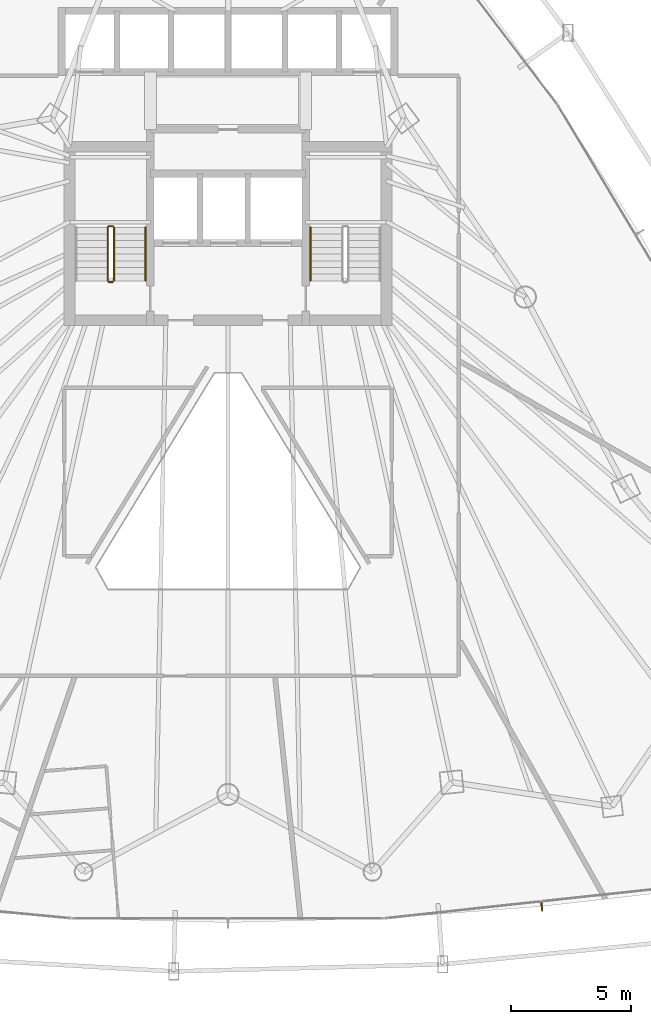
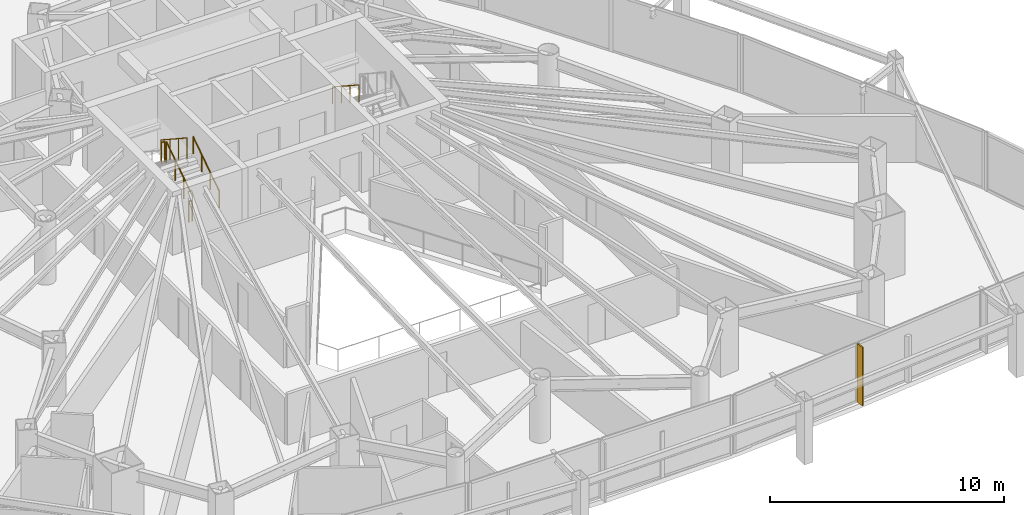
# One storey, part 35 of 37: 6 railings, 1 shading device.
"""IFC4 building model written with IfcOpenShell, lengths in metres."""

from ifc_helpers import new_model, si_unit, direction, frame, origin, origin_2d, place, context, subcontext, project, spatial, rectangle, circle, extrude, material, layer, layer_set, type_object, element, save


model = new_model("IFC4")

# Units and contexts
model_context = context("Model", 3, precision=1e-05, world=origin(), true_north=direction((0.0, 1.0)))
body_context = subcontext(model_context, "Body", "Model", "MODEL_VIEW")
ifc_project = project(units=[si_unit("LENGTHUNIT", "METRE"), si_unit("AREAUNIT", "SQUARE_METRE"), si_unit("VOLUMEUNIT", "CUBIC_METRE"), si_unit("PLANEANGLEUNIT", "RADIAN"), si_unit("MASSUNIT", "GRAM", prefix="KILO")], contexts=[model_context])

# Site, building, storey
site_placement = place(None, origin())
site = spatial("IfcSite", under=ifc_project, at=site_placement, CompositionType="ELEMENT")
building_placement = place(site_placement, origin())
building = spatial("IfcBuilding", under=site, at=building_placement, Name="Orvanel Arch Residences", CompositionType="ELEMENT")
storey_placement = place(building_placement, frame((0.0, 0.0, 53.300048828125)))
storey = spatial("IfcBuildingStorey", under=building, at=storey_placement, Name="L14", CompositionType="ELEMENT", Elevation=53.300048828125)

# Shading device
ifc_material_1 = material(Name="Bronze-anodised aluminium AA6063-T6", Category="aluminium")
ifc_layer = layer(ifc_material_1, 0.06005859375)
ifc_layer_set = layer_set([ifc_layer], Name="Bronze-anodised aluminium AA6063-T6")
shading_device_type = type_object("IfcShadingDeviceType", Name="FIN-BRZ-380", PredefinedType="USERDEFINED", material=ifc_layer_set)
shading_device_placement = place(storey_placement, frame((46.1201171875, 2.152099609375, 0.0), z_axis=(0.0, 0.0, 1.0), x_axis=(0.107999355706, -0.994150963972, 0.0)))
element("IfcShadingDevice", 1, at=shading_device_placement, inside=storey, type_object=shading_device_type, Name="L14 Anodised Bronze Mullion FIN 01", ObjectType="FIN", PredefinedType="USERDEFINED", context=body_context, shape_type="SweptSolid", body=[
    extrude(rectangle(XDim=0.3798828125, YDim=0.06005859375, at=origin_2d()), origin(), (0.0, 0.0, 1.0), 3.06005859375),
])

# Railings
ifc_material_2 = material(Name="Structural steel AS/NZS 1163 C350L0 (Grade 350)", Category="steel")
railing_type_1 = type_object("IfcRailingType", Name="RL-STAIR-GUARD", PredefinedType="GUARDRAIL", material=ifc_material_2)
railing_1_placement = place(storey_placement, frame((28.22998046875, 28.320068359375, 0.183349609375)))
element("IfcRailing", 2, at=railing_1_placement, inside=storey, type_object=railing_type_1, Name="L14 ST-1 stair guard 1", PredefinedType="GUARDRAIL", context=body_context, shape_type="SweptSolid", body=[
    extrude(circle(Radius=0.02392578125, at=origin_2d()), frame((0.0, 0.001220703125, 1.076904296875), z_axis=(0.0, 0.836636935527, 0.547757827979), x_axis=(-1.0, 0.0, 0.0)), (0.0, 0.0, 1.0), 2.67431640625),
    extrude(circle(Radius=0.02099609375, at=origin_2d()), origin(), (0.0, 0.0, 1.0), 1.050048828125),
    extrude(circle(Radius=0.02099609375, at=origin_2d()), frame((0.0, 0.74658203125, 0.48876953125)), (0.0, 0.0, 1.0), 1.050048828125),
    extrude(circle(Radius=0.02099609375, at=origin_2d()), frame((0.0, 1.493408203125, 0.977783203125)), (0.0, 0.0, 1.0), 1.050048828125),
    extrude(circle(Radius=0.02099609375, at=origin_2d()), frame((0.0, 2.239990234375, 1.466552734375)), (0.0, 0.0, 1.0), 1.050048828125),
])
railing_2_placement = place(storey_placement, frame((28.179931640625, 30.610107421875, 1.64990234375)))
element("IfcRailing", 3, at=railing_2_placement, inside=storey, type_object=railing_type_1, Name="L14 ST-1 stair guard 2", PredefinedType="GUARDRAIL", context=body_context, shape_type="SweptSolid", body=[
    extrude(circle(Radius=0.02392578125, at=origin_2d()), frame((-0.00146484375, 0.0, 1.076171875), z_axis=(-1.0, 0.0, 0.0), x_axis=(0.0, -1.0, 0.0)), (0.0, 0.0, 1.0), 0.156982421875),
    extrude(circle(Radius=0.02099609375, at=origin_2d()), origin(), (0.0, 0.0, 1.0), 1.050048828125),
    extrude(circle(Radius=0.02099609375, at=origin_2d()), frame((-0.159912109375, 0.0, 0.0)), (0.0, 0.0, 1.0), 1.050048828125),
])
railing_3_placement = place(storey_placement, frame((27.969970703125, 30.56005859375, 1.833251953125)))
element("IfcRailing", 4, at=railing_3_placement, inside=storey, type_object=railing_type_1, Name="L14 ST-1 stair guard 3", PredefinedType="GUARDRAIL", context=body_context, shape_type="SweptSolid", body=[
    extrude(circle(Radius=0.02392578125, at=origin_2d()), frame((0.0, -0.001220703125, 1.076904296875), z_axis=(0.0, -0.836595146698, 0.547821650285), x_axis=(1.0, 0.0, 0.0)), (0.0, 0.0, 1.0), 2.674560546875),
    extrude(circle(Radius=0.02099609375, at=origin_2d()), origin(), (0.0, 0.0, 1.0), 1.050048828125),
    extrude(circle(Radius=0.02099609375, at=origin_2d()), frame((0.0, -0.74658203125, 0.489013671875)), (0.0, 0.0, 1.0), 1.050048828125),
    extrude(circle(Radius=0.02099609375, at=origin_2d()), frame((0.0, -1.493408203125, 0.977783203125)), (0.0, 0.0, 1.0), 1.050048828125),
    extrude(circle(Radius=0.02099609375, at=origin_2d()), frame((0.0, -2.239990234375, 1.466796875)), (0.0, 0.0, 1.0), 1.050048828125),
])
railing_4_placement = place(storey_placement, frame((28.179931640625, 28.27001953125, 0.0)))
element("IfcRailing", 5, at=railing_4_placement, inside=storey, type_object=railing_type_1, Name="L14 ST-1 stair guard 4", PredefinedType="GUARDRAIL", context=body_context, shape_type="SweptSolid", body=[
    extrude(circle(Radius=0.02392578125, at=origin_2d()), frame((-0.00146484375, 0.0, 1.076171875), z_axis=(-1.0, 0.0, 0.0), x_axis=(0.0, -1.0, 0.0)), (0.0, 0.0, 1.0), 0.156982421875),
    extrude(circle(Radius=0.02099609375, at=origin_2d()), origin(), (0.0, 0.0, 1.0), 1.050048828125),
    extrude(circle(Radius=0.02099609375, at=origin_2d()), frame((-0.159912109375, 0.0, 0.0)), (0.0, 0.0, 1.0), 1.050048828125),
])
railing_type_2 = type_object("IfcRailingType", Name="RL-STAIR-HAND", PredefinedType="HANDRAIL", material=ifc_material_2)
railing_5_placement = place(storey_placement, frame((29.550048828125, 28.320068359375, 0.183349609375)))
element("IfcRailing", 6, at=railing_5_placement, inside=storey, type_object=railing_type_2, Name="L14 ST-1 stair handrail 1", PredefinedType="HANDRAIL", context=body_context, shape_type="SweptSolid", body=[
    extrude(circle(Radius=0.02392578125, at=origin_2d()), frame((0.0, 0.001220703125, 0.876708984375), z_axis=(0.0, 0.836636935527, 0.547757827979), x_axis=(-1.0, 0.0, 0.0)), (0.0, 0.0, 1.0), 2.67431640625),
    extrude(circle(Radius=0.02099609375, at=origin_2d()), origin(), (0.0, 0.0, 1.0), 0.849853515625),
    extrude(circle(Radius=0.02099609375, at=origin_2d()), frame((0.0, 0.74658203125, 0.48876953125)), (0.0, 0.0, 1.0), 0.849853515625),
    extrude(circle(Radius=0.02099609375, at=origin_2d()), frame((0.0, 1.493408203125, 0.977783203125)), (0.0, 0.0, 1.0), 0.849853515625),
    extrude(circle(Radius=0.02099609375, at=origin_2d()), frame((0.0, 2.239990234375, 1.466552734375)), (0.0, 0.0, 1.0), 0.849853515625),
])
railing_6_placement = place(storey_placement, frame((36.449951171875, 30.56005859375, 1.833251953125)))
element("IfcRailing", 7, at=railing_6_placement, inside=storey, type_object=railing_type_2, Name="L14 ST-2 stair handrail 2", PredefinedType="HANDRAIL", context=body_context, shape_type="SweptSolid", body=[
    extrude(circle(Radius=0.02392578125, at=origin_2d()), frame((0.0, -0.001220703125, 0.876708984375), z_axis=(0.0, -0.836595146698, 0.547821650285), x_axis=(1.0, 0.0, 0.0)), (0.0, 0.0, 1.0), 2.674560546875),
    extrude(circle(Radius=0.02099609375, at=origin_2d()), origin(), (0.0, 0.0, 1.0), 0.849853515625),
    extrude(circle(Radius=0.02099609375, at=origin_2d()), frame((0.0, -0.74658203125, 0.489013671875)), (0.0, 0.0, 1.0), 0.849853515625),
    extrude(circle(Radius=0.02099609375, at=origin_2d()), frame((0.0, -1.493408203125, 0.977783203125)), (0.0, 0.0, 1.0), 0.849853515625),
    extrude(circle(Radius=0.02099609375, at=origin_2d()), frame((0.0, -2.239990234375, 1.466796875)), (0.0, 0.0, 1.0), 0.849853515625),
])

save(model, "model.ifc")
